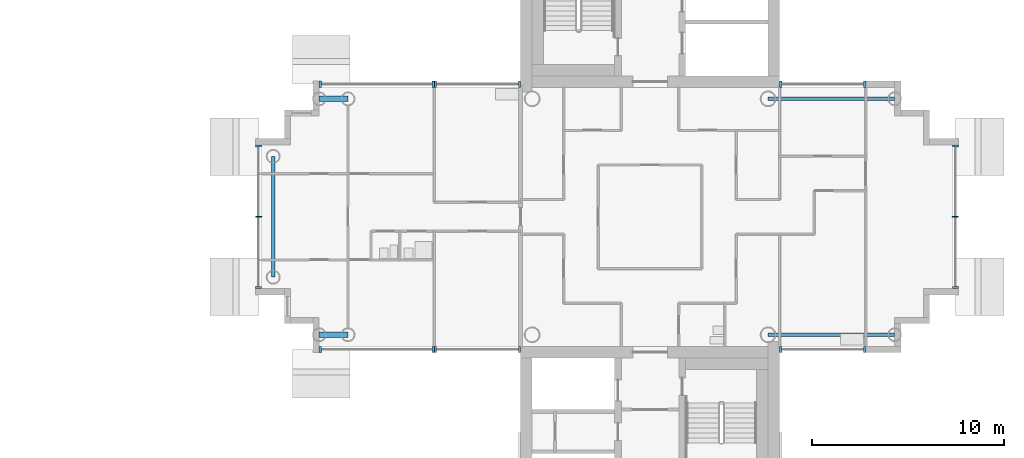
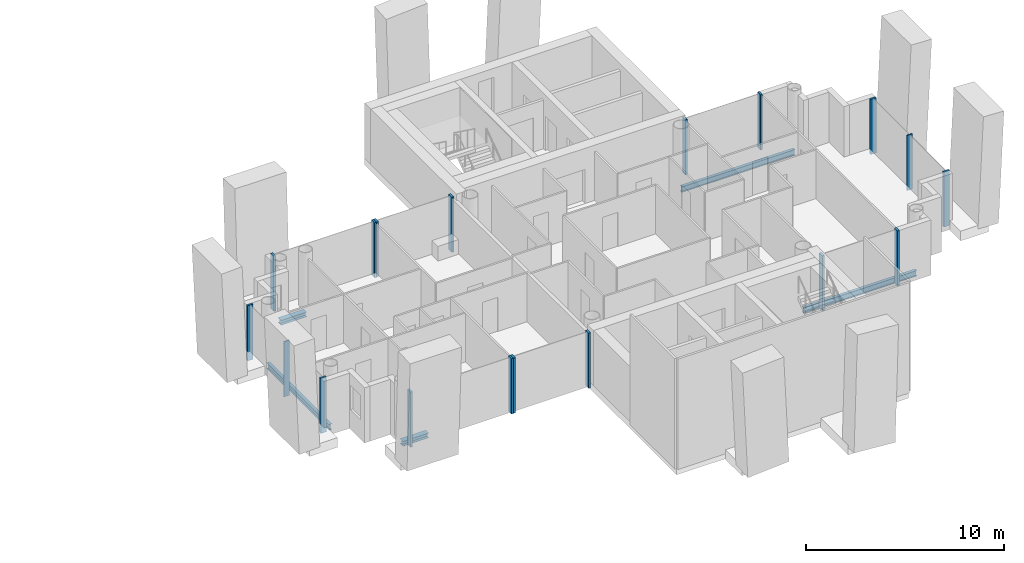
# One storey, part 4 of 18: 18 members, 5 beams, 8 elements without a shape of their own.
"""IFC4 building model written with IfcOpenShell, lengths in metres."""

import ifcopenshell
import ifcopenshell.guid

model = None  # the IFC model being written
_history = None  # IfcOwnerHistory: only IFC2X3 demands one
_inside = {}  # id of a spatial element -> (the spatial element, [elements in it])
_under = {}  # id of a project, library or spatial element -> (it, [spatial elements below it])
_declared = {}  # id of a project -> (the project, [libraries it declares])
_typed = {}  # id of a type object -> (the type object, [elements of that type])
_made_of = {}  # id of a material, layer set ... -> (it, [elements and type objects made of it])


def new_model(schema):
    """Start an empty IFC model of exactly this schema.

    Asked for "IFC4X3", IfcOpenShell would pick the latest addendum, in which some entities
    have other attributes; the version numbers below select the first issue.
    IFC2X3 requires an IfcOwnerHistory on every rooted entity: one is made here for all.
    """
    global model, _history
    if schema == "IFC4X3":
        model = ifcopenshell.file(schema_version=(4, 3, 0, 0))
    else:
        model = ifcopenshell.file(schema=schema)
    _inside.clear()
    _under.clear()
    _declared.clear()
    _typed.clear()
    _made_of.clear()
    _history = None
    if model.schema == "IFC2X3":
        org = make("IfcOrganization", Name="unknown")
        user = make(
            "IfcPersonAndOrganization",
            ThePerson=make("IfcPerson", FamilyName="unknown"),
            TheOrganization=org,
        )
        app = make(
            "IfcApplication",
            ApplicationDeveloper=org,
            Version="unknown",
            ApplicationFullName="unknown",
            ApplicationIdentifier="unknown",
        )
        _history = make(
            "IfcOwnerHistory",
            OwningUser=user,
            OwningApplication=app,
            ChangeAction="ADDED",
            CreationDate=0,
        )
    return model


def make(cls, **values):
    """One entity of the class cls with the attributes given. An attribute that is None is left unset."""
    return model.create_entity(
        cls, **{name: value for name, value in values.items() if value is not None}
    )


def rooted(cls, **values):
    """An entity with a GlobalId (a new one), such as an element, a storey or a relation."""
    return make(cls, GlobalId=ifcopenshell.guid.new(), OwnerHistory=_history, **values)


def si_unit(unit_type, name, prefix=None):
    """IfcSIUnit, for example si_unit("LENGTHUNIT", "METRE", prefix="MILLI")."""
    return make("IfcSIUnit", UnitType=unit_type, Prefix=prefix, Name=name)


def assignment(units):
    """IfcUnitAssignment: the units of a project."""
    return None if units is None else make("IfcUnitAssignment", Units=units)


def point(xyz):
    """IfcCartesianPoint."""
    return None if xyz is None else make("IfcCartesianPoint", Coordinates=xyz)


def direction(xyz):
    """IfcDirection."""
    return None if xyz is None else make("IfcDirection", DirectionRatios=xyz)


def frame(location, z_axis=None, x_axis=None):
    """IfcAxis2Placement3D, a coordinate frame: its origin and axes. An axis left out is left unset."""
    return make(
        "IfcAxis2Placement3D",
        Location=point(location),
        Axis=direction(z_axis),
        RefDirection=direction(x_axis),
    )


def frame_2d(location, x_axis=None):
    """IfcAxis2Placement2D, a coordinate frame in the plane: its origin and x axis."""
    return make(
        "IfcAxis2Placement2D", Location=point(location), RefDirection=direction(x_axis)
    )


def origin():
    """The frame at (0, 0, 0) with its axes left unset."""
    return frame((0.0, 0.0, 0.0))


def origin_2d():
    """The frame at (0, 0) in the plane with its x axis left unset."""
    return frame_2d((0.0, 0.0))


def place(relative_to, where):
    """IfcLocalPlacement: puts the frame where relative to a parent placement (None: the world)."""
    return make(
        "IfcLocalPlacement", PlacementRelTo=relative_to, RelativePlacement=where
    )


def context(
    kind, dimensions, precision=None, world=None, true_north=None, identifier=None
):
    """IfcGeometricRepresentationContext, for example the 3D "Model" context."""
    return make(
        "IfcGeometricRepresentationContext",
        ContextIdentifier=identifier,
        ContextType=kind,
        CoordinateSpaceDimension=dimensions,
        Precision=precision,
        WorldCoordinateSystem=world,
        TrueNorth=true_north,
    )


def subcontext(parent, identifier, kind, view, scale=None):
    """IfcGeometricRepresentationSubContext, for example "Body" below "Model"."""
    return make(
        "IfcGeometricRepresentationSubContext",
        ContextIdentifier=identifier,
        ContextType=kind,
        ParentContext=parent,
        TargetScale=scale,
        TargetView=view,
    )


def project(units=None, contexts=None):
    """IfcProject with its units and contexts."""
    return rooted(
        "IfcProject",
        Name="project",
        RepresentationContexts=contexts,
        UnitsInContext=assignment(units),
    )


def spatial(cls, under=None, at=None, **own):
    """A site, building, storey or space (cls), placed at a placement, below another one or the project."""
    s = rooted(cls, ObjectPlacement=at, **own)
    if under is not None:
        _under.setdefault(under.id(), (under, []))[1].append(s)
    return s


def profile(cls, at=None, kind="AREA", **sizes):
    """A parametric profile (cls). Its sizes go by their IFC names, for example OverallWidth=200.0."""
    return make(cls, ProfileType=kind, Position=at, **sizes)


def rectangle(**sizes):
    """IfcRectangleProfileDef."""
    return profile("IfcRectangleProfileDef", **sizes)


def i_section(**sizes):
    """IfcIShapeProfileDef."""
    return profile("IfcIShapeProfileDef", **sizes)


def extrude(swept, where, along, depth):
    """IfcExtrudedAreaSolid: the profile swept, set in the frame where, extruded along a direction by depth."""
    return make(
        "IfcExtrudedAreaSolid",
        SweptArea=swept,
        Position=where,
        ExtrudedDirection=direction(along),
        Depth=depth,
    )


def shape(context_of_items, identifier, shape_type, items):
    """IfcShapeRepresentation: the items that make up one representation, for example the "Body"."""
    return make(
        "IfcShapeRepresentation",
        ContextOfItems=context_of_items,
        RepresentationIdentifier=identifier,
        RepresentationType=shape_type,
        Items=items,
    )


def material(Name=None, Category=None):
    """IfcMaterial."""
    return make("IfcMaterial", Name=Name, Category=Category)


def layer(
    of_material, thickness, ventilated=None, Name=None, Category=None, Priority=None
):
    """IfcMaterialLayer: one layer of a wall or slab, of a material (None: an air gap)."""
    return make(
        "IfcMaterialLayer",
        Material=of_material,
        LayerThickness=thickness,
        IsVentilated=ventilated,
        Name=Name,
        Category=Category,
        Priority=Priority,
    )


def layer_set(layers, Name=None):
    """IfcMaterialLayerSet."""
    return make("IfcMaterialLayerSet", MaterialLayers=layers, LayerSetName=Name)


def material_profile(
    of_material, cross_section, Name=None, Category=None, Priority=None
):
    """IfcMaterialProfile: a cross section and its material."""
    return make(
        "IfcMaterialProfile",
        Name=Name,
        Material=of_material,
        Profile=cross_section,
        Priority=Priority,
        Category=Category,
    )


def profile_set(profiles, Name=None, composite=None):
    """IfcMaterialProfileSet."""
    return make(
        "IfcMaterialProfileSet",
        Name=Name,
        MaterialProfiles=profiles,
        CompositeProfile=composite,
    )


def made_of(thing, what):
    """Note that an element or type object is made of a material, layer set ...; save() writes the relation."""
    if what is not None:
        _made_of.setdefault(what.id(), (what, []))[1].append(thing)
    return thing


def type_object(cls, material=None, **own):
    """A type object (cls), such as IfcWallType, which elements share."""
    return made_of(rooted(cls, **own), material)


def element(
    cls,
    number,
    at=None,
    inside=None,
    cuts=None,
    type_object=None,
    material=None,
    context=None,
    identifier="Body",
    shape_type=None,
    held_by="IfcProductDefinitionShape",
    body=None,
    shapes=None,
    **own,
):
    """One element of the class cls, such as IfcWall. Its Tag is "e" and its number.

    at: its placement. inside: the storey or other place that contains it. cuts: it is an
    opening in that element (IfcRelVoidsElement). A single representation is given by context,
    identifier, shape_type and body (its items); several are given by shapes. held_by: the class
    of the entity that holds the representations. save() writes the other relations.
    """
    e = rooted(cls, Tag="e%d" % number, ObjectPlacement=at, **own)
    if body is not None:
        shapes = [shape(context, identifier, shape_type, body)]
    if shapes is not None:
        e.Representation = make(held_by, Representations=shapes)
    if inside is not None:
        _inside.setdefault(inside.id(), (inside, []))[1].append(e)
    if cuts is not None:
        rooted(
            "IfcRelVoidsElement", RelatingBuildingElement=cuts, RelatedOpeningElement=e
        )
    if type_object is not None:
        _typed.setdefault(type_object.id(), (type_object, []))[1].append(e)
    return made_of(e, material)


def aggregate(whole, parts):
    """IfcRelAggregates: a whole, such as a stair, and the parts it consists of."""
    return rooted("IfcRelAggregates", RelatingObject=whole, RelatedObjects=parts)


def save(model, path):
    """Write the relations noted so far, then the file.

    IfcRelAggregates (storeys below a building ...), IfcRelContainedInSpatialStructure (elements
    in a storey), IfcRelDefinesByType, IfcRelAssociatesMaterial and IfcRelDeclares: one each for
    every whole, place, type object, material and project.
    """
    for whole, parts in _under.values():
        aggregate(whole, parts)
    for where, things in _inside.values():
        rooted(
            "IfcRelContainedInSpatialStructure",
            RelatedElements=things,
            RelatingStructure=where,
        )
    for kind, things in _typed.values():
        rooted("IfcRelDefinesByType", RelatedObjects=things, RelatingType=kind)
    for what, things in _made_of.values():
        rooted("IfcRelAssociatesMaterial", RelatedObjects=things, RelatingMaterial=what)
    for by, libraries in _declared.values():
        rooted("IfcRelDeclares", RelatingContext=by, RelatedDefinitions=libraries)
    model.write(path)


model = new_model("IFC4")

# Units and contexts
model_context = context("Model", 3, precision=1e-05, world=origin(), true_north=direction((0.0, 1.0)))
body_context = subcontext(model_context, "Body", "Model", "MODEL_VIEW")
ifc_project = project(units=[si_unit("LENGTHUNIT", "METRE"), si_unit("AREAUNIT", "SQUARE_METRE"), si_unit("VOLUMEUNIT", "CUBIC_METRE"), si_unit("PLANEANGLEUNIT", "RADIAN"), si_unit("MASSUNIT", "GRAM", prefix="KILO")], contexts=[model_context])

# Site, building, storey
site_placement = place(None, origin())
site = spatial("IfcSite", under=ifc_project, at=site_placement, CompositionType="ELEMENT")
building_placement = place(site_placement, origin())
building = spatial("IfcBuilding", under=site, at=building_placement, Name="Ipe Terrace Towers", CompositionType="ELEMENT")
storey_placement = place(building_placement, frame((0.0, 0.0, 223.199951171875)))
storey = spatial("IfcBuildingStorey", under=building, at=storey_placement, Name="L62", CompositionType="ELEMENT", Elevation=223.199951171875)

# Beams
ifc_material_1 = material(Name="Steel S355", Category="steel")
ifc_material_profile_1 = material_profile(ifc_material_1, i_section(OverallWidth=0.300048828125, OverallDepth=0.300048828125, WebThickness=0.010009765625, FlangeThickness=0.014892578125, at=origin_2d()), Name="H-300x300x10x15")
ifc_profile_set_1 = profile_set([ifc_material_profile_1], Name="Steel S355")
beam_type_1 = type_object("IfcBeamType", Name="H03 EDGE BEAM H-300x300x10x15", PredefinedType="BEAM", material=ifc_profile_set_1)
for number, where, z_axis, x_axis, name in (
    (1, (20.25, 6.14990234375, -0.550048828125), (-1.0, 0.0, 0.0), (0.0, -1.0, 0.0), "Edge beam T2-EB-B03-B05"),
    (2, (20.25, -6.14990234375, -0.550048828125), (-1.0, 0.0, 0.0), (0.0, -1.0, 0.0), "Edge beam T2-EB-B04-B06"),
):
    element("IfcBeam", number, at=place(storey_placement, frame(where, z_axis=z_axis, x_axis=x_axis)), inside=storey, type_object=beam_type_1, Name=name, PredefinedType="BEAM", context=body_context, shape_type="SweptSolid", body=[
        extrude(i_section(OverallWidth=0.300048828125, OverallDepth=0.300048828125, WebThickness=0.010009765625, FlangeThickness=0.014892578125, at=origin_2d()), origin(), (0.0, 0.0, 1.0), 1.5),
    ])
ifc_material_2 = material(Name="Steel S355", Category="steel")
ifc_material_profile_2 = material_profile(ifc_material_2, i_section(OverallWidth=0.175048828125, OverallDepth=0.35009765625, WebThickness=0.007080078125, FlangeThickness=0.010986328125, at=origin_2d()), Name="H-350x175x7x11")
ifc_profile_set_2 = profile_set([ifc_material_profile_2], Name="Steel S355")
beam_type_2 = type_object("IfcBeamType", Name="H04 EDGE BEAM H-350x175x7x11", PredefinedType="BEAM", material=ifc_profile_set_2)
beam_placement = place(storey_placement, frame((16.35009765625, 3.14990234375, -0.574951171875), z_axis=(0.0, -1.0, 0.0), x_axis=(1.0, 0.0, 0.0)))
element("IfcBeam", 3, at=beam_placement, inside=storey, type_object=beam_type_2, Name="Edge beam T2-EB-B07-B08", PredefinedType="BEAM", context=body_context, shape_type="SweptSolid", body=[
    extrude(i_section(OverallWidth=0.175048828125, OverallDepth=0.35009765625, WebThickness=0.007080078125, FlangeThickness=0.010986328125, at=origin_2d()), origin(), (0.0, 0.0, 1.0), 6.2998046875),
])
for number, where, z_axis, x_axis, name in (
    (4, (48.75, -6.14990234375, -0.574951171875), (-1.0, 0.0, 0.0), (0.0, -1.0, 0.0), "Edge beam T2-EB-D01-E01"),
    (5, (48.75, 6.14990234375, -0.574951171875), (-1.0, 0.0, 0.0), (0.0, -1.0, 0.0), "Edge beam T2-EB-D02-E02"),
):
    element("IfcBeam", number, at=place(storey_placement, frame(where, z_axis=z_axis, x_axis=x_axis)), inside=storey, type_object=beam_type_2, Name=name, PredefinedType="BEAM", context=body_context, shape_type="SweptSolid", body=[
        extrude(i_section(OverallWidth=0.175048828125, OverallDepth=0.35009765625, WebThickness=0.007080078125, FlangeThickness=0.010986328125, at=origin_2d()), origin(), (0.0, 0.0, 1.0), 6.60009765625),
    ])

# Curtain wall, members
ifc_material_3 = material(Name="Aluminium alloy 6063-T6", Category="aluminium")
ifc_layer = layer(ifc_material_3, 0.320068359375)
ifc_layer_set = layer_set([ifc_layer], Name="TOWER UNITISED CURTAIN WALL")
curtain_wall_type = type_object("IfcCurtainWallType", Name="TOWER UNITISED CURTAIN WALL", PredefinedType="NOTDEFINED", material=ifc_layer_set)
curtain_wall_1_placement = place(storey_placement, origin())
curtain_wall_1 = element("IfcCurtainWall", 6, at=curtain_wall_1_placement, inside=storey, type_object=curtain_wall_type, Name="T2-CW-L62-02a curtain wall", PredefinedType="NOTDEFINED")
ifc_material_4 = material(Name="Aluminium alloy 6063-T6", Category="aluminium")
ifc_material_profile_3 = material_profile(ifc_material_4, rectangle(XDim=0.320068359375, YDim=0.1201171875, at=origin_2d()), Name="TOWER UNITISED CORNER MULLION 320 x 120")
ifc_profile_set_3 = profile_set([ifc_material_profile_3], Name="Aluminium alloy 6063-T6")
member_type_1 = type_object("IfcMemberType", Name="TOWER UNITISED CORNER MULLION 320 x 120", PredefinedType="MULLION", material=ifc_profile_set_3)
member_1_placement = place(storey_placement, frame((42.81005859375, -6.909912109375, -0.300048828125), z_axis=(0.0, 0.0, 1.0), x_axis=(0.0, -1.0, 0.0)))
member_1 = element("IfcMember", 7, at=member_1_placement, type_object=member_type_1, Name="T2-CW-L62-02a mullion 1", PredefinedType="MULLION", context=body_context, shape_type="SweptSolid", body=[
    extrude(rectangle(XDim=0.320068359375, YDim=0.1201171875, at=origin_2d()), origin(), (0.0, 0.0, 1.0), 3.400146484375),
])
member_2_placement = place(storey_placement, frame((47.18994140625, -6.909912109375, -0.300048828125), z_axis=(0.0, 0.0, 1.0), x_axis=(0.0, -1.0, 0.0)))
member_2 = element("IfcMember", 8, at=member_2_placement, type_object=member_type_1, Name="T2-CW-L62-02a mullion 2", PredefinedType="MULLION", context=body_context, shape_type="SweptSolid", body=[
    extrude(rectangle(XDim=0.320068359375, YDim=0.1201171875, at=origin_2d()), origin(), (0.0, 0.0, 1.0), 3.400146484375),
])
aggregate(curtain_wall_1, [member_1, member_2])

curtain_wall_2_placement = place(storey_placement, origin())
curtain_wall_2 = element("IfcCurtainWall", 9, at=curtain_wall_2_placement, inside=storey, type_object=curtain_wall_type, Name="T2-CW-L62-08a curtain wall", PredefinedType="NOTDEFINED")
member_3_placement = place(storey_placement, frame((51.909912109375, -3.68994140625, -0.300048828125), z_axis=(0.0, 0.0, 1.0), x_axis=(1.0, 0.0, 0.0)))
member_3 = element("IfcMember", 10, at=member_3_placement, type_object=member_type_1, Name="T2-CW-L62-08a mullion 1", PredefinedType="MULLION", context=body_context, shape_type="SweptSolid", body=[
    extrude(rectangle(XDim=0.320068359375, YDim=0.1201171875, at=origin_2d()), origin(), (0.0, 0.0, 1.0), 3.400146484375),
])
member_4_placement = place(storey_placement, frame((51.909912109375, 3.68994140625, -0.300048828125), z_axis=(0.0, 0.0, 1.0), x_axis=(1.0, 0.0, 0.0)))
member_4 = element("IfcMember", 11, at=member_4_placement, type_object=member_type_1, Name="T2-CW-L62-08a mullion 3", PredefinedType="MULLION", context=body_context, shape_type="SweptSolid", body=[
    extrude(rectangle(XDim=0.320068359375, YDim=0.1201171875, at=origin_2d()), origin(), (0.0, 0.0, 1.0), 3.400146484375),
])

curtain_wall_3_placement = place(storey_placement, origin())
curtain_wall_3 = element("IfcCurtainWall", 12, at=curtain_wall_3_placement, inside=storey, type_object=curtain_wall_type, Name="T2-CW-L62-14a curtain wall", PredefinedType="NOTDEFINED")
member_5_placement = place(storey_placement, frame((47.18994140625, 6.909912109375, -0.300048828125), z_axis=(0.0, 0.0, 1.0), x_axis=(0.0, 1.0, 0.0)))
member_5 = element("IfcMember", 13, at=member_5_placement, type_object=member_type_1, Name="T2-CW-L62-14a mullion 1", PredefinedType="MULLION", context=body_context, shape_type="SweptSolid", body=[
    extrude(rectangle(XDim=0.320068359375, YDim=0.1201171875, at=origin_2d()), origin(), (0.0, 0.0, 1.0), 3.400146484375),
])
member_6_placement = place(storey_placement, frame((42.81005859375, 6.909912109375, -0.300048828125), z_axis=(0.0, 0.0, 1.0), x_axis=(0.0, 1.0, 0.0)))
member_6 = element("IfcMember", 14, at=member_6_placement, type_object=member_type_1, Name="T2-CW-L62-14a mullion 2", PredefinedType="MULLION", context=body_context, shape_type="SweptSolid", body=[
    extrude(rectangle(XDim=0.320068359375, YDim=0.1201171875, at=origin_2d()), origin(), (0.0, 0.0, 1.0), 3.400146484375),
])
aggregate(curtain_wall_3, [member_5, member_6])

curtain_wall_4_placement = place(storey_placement, origin())
curtain_wall_4 = element("IfcCurtainWall", 15, at=curtain_wall_4_placement, inside=storey, type_object=curtain_wall_type, Name="T2-CW-L62-20a curtain wall", PredefinedType="NOTDEFINED")
member_7_placement = place(storey_placement, frame((29.18994140625, 6.909912109375, -0.300048828125), z_axis=(0.0, 0.0, 1.0), x_axis=(0.0, 1.0, 0.0)))
member_7 = element("IfcMember", 16, at=member_7_placement, type_object=member_type_1, Name="T2-CW-L62-20a mullion 1", PredefinedType="MULLION", context=body_context, shape_type="SweptSolid", body=[
    extrude(rectangle(XDim=0.320068359375, YDim=0.1201171875, at=origin_2d()), origin(), (0.0, 0.0, 1.0), 3.400146484375),
])
member_8_placement = place(storey_placement, frame((24.81005859375, 6.909912109375, -0.300048828125), z_axis=(0.0, 0.0, 1.0), x_axis=(0.0, 1.0, 0.0)))
member_8 = element("IfcMember", 17, at=member_8_placement, type_object=member_type_1, Name="T2-CW-L62-20a mullion 2", PredefinedType="MULLION", context=body_context, shape_type="SweptSolid", body=[
    extrude(rectangle(XDim=0.320068359375, YDim=0.1201171875, at=origin_2d()), origin(), (0.0, 0.0, 1.0), 3.400146484375),
])
aggregate(curtain_wall_4, [member_7, member_8])

curtain_wall_5_placement = place(storey_placement, origin())
curtain_wall_5 = element("IfcCurtainWall", 18, at=curtain_wall_5_placement, inside=storey, type_object=curtain_wall_type, Name="T2-CW-L62-21a curtain wall", PredefinedType="NOTDEFINED")
member_9_placement = place(storey_placement, frame((24.68994140625, 6.909912109375, -0.300048828125), z_axis=(0.0, 0.0, 1.0), x_axis=(0.0, 1.0, 0.0)))
member_9 = element("IfcMember", 19, at=member_9_placement, type_object=member_type_1, Name="T2-CW-L62-21a mullion 1", PredefinedType="MULLION", context=body_context, shape_type="SweptSolid", body=[
    extrude(rectangle(XDim=0.320068359375, YDim=0.1201171875, at=origin_2d()), origin(), (0.0, 0.0, 1.0), 3.400146484375),
])
member_10_placement = place(storey_placement, frame((18.81005859375, 6.909912109375, -0.300048828125), z_axis=(0.0, 0.0, 1.0), x_axis=(0.0, 1.0, 0.0)))
member_10 = element("IfcMember", 20, at=member_10_placement, type_object=member_type_1, Name="T2-CW-L62-21a mullion 2", PredefinedType="MULLION", context=body_context, shape_type="SweptSolid", body=[
    extrude(rectangle(XDim=0.320068359375, YDim=0.1201171875, at=origin_2d()), origin(), (0.0, 0.0, 1.0), 3.400146484375),
])
aggregate(curtain_wall_5, [member_9, member_10])

curtain_wall_6_placement = place(storey_placement, origin())
curtain_wall_6 = element("IfcCurtainWall", 21, at=curtain_wall_6_placement, inside=storey, type_object=curtain_wall_type, Name="T2-CW-L62-26a curtain wall", PredefinedType="NOTDEFINED")
member_11_placement = place(storey_placement, frame((15.590087890625, 3.68994140625, -0.300048828125), z_axis=(0.0, 0.0, 1.0), x_axis=(-1.0, 0.0, 0.0)))
member_11 = element("IfcMember", 22, at=member_11_placement, type_object=member_type_1, Name="T2-CW-L62-26a mullion 1", PredefinedType="MULLION", context=body_context, shape_type="SweptSolid", body=[
    extrude(rectangle(XDim=0.320068359375, YDim=0.1201171875, at=origin_2d()), origin(), (0.0, 0.0, 1.0), 3.400146484375),
])
member_12_placement = place(storey_placement, frame((15.590087890625, -3.68994140625, -0.300048828125), z_axis=(0.0, 0.0, 1.0), x_axis=(-1.0, 0.0, 0.0)))
member_12 = element("IfcMember", 23, at=member_12_placement, type_object=member_type_1, Name="T2-CW-L62-26a mullion 3", PredefinedType="MULLION", context=body_context, shape_type="SweptSolid", body=[
    extrude(rectangle(XDim=0.320068359375, YDim=0.1201171875, at=origin_2d()), origin(), (0.0, 0.0, 1.0), 3.400146484375),
])

curtain_wall_7_placement = place(storey_placement, origin())
curtain_wall_7 = element("IfcCurtainWall", 24, at=curtain_wall_7_placement, inside=storey, type_object=curtain_wall_type, Name="T2-CW-L62-31a curtain wall", PredefinedType="NOTDEFINED")
member_13_placement = place(storey_placement, frame((18.81005859375, -6.909912109375, -0.300048828125), z_axis=(0.0, 0.0, 1.0), x_axis=(0.0, -1.0, 0.0)))
member_13 = element("IfcMember", 25, at=member_13_placement, type_object=member_type_1, Name="T2-CW-L62-31a mullion 1", PredefinedType="MULLION", context=body_context, shape_type="SweptSolid", body=[
    extrude(rectangle(XDim=0.320068359375, YDim=0.1201171875, at=origin_2d()), origin(), (0.0, 0.0, 1.0), 3.400146484375),
])
member_14_placement = place(storey_placement, frame((24.68994140625, -6.909912109375, -0.300048828125), z_axis=(0.0, 0.0, 1.0), x_axis=(0.0, -1.0, 0.0)))
member_14 = element("IfcMember", 26, at=member_14_placement, type_object=member_type_1, Name="T2-CW-L62-31a mullion 2", PredefinedType="MULLION", context=body_context, shape_type="SweptSolid", body=[
    extrude(rectangle(XDim=0.320068359375, YDim=0.1201171875, at=origin_2d()), origin(), (0.0, 0.0, 1.0), 3.400146484375),
])
aggregate(curtain_wall_7, [member_13, member_14])

curtain_wall_8_placement = place(storey_placement, origin())
curtain_wall_8 = element("IfcCurtainWall", 27, at=curtain_wall_8_placement, inside=storey, type_object=curtain_wall_type, Name="T2-CW-L62-32a curtain wall", PredefinedType="NOTDEFINED")
member_15_placement = place(storey_placement, frame((24.81005859375, -6.909912109375, -0.300048828125), z_axis=(0.0, 0.0, 1.0), x_axis=(0.0, -1.0, 0.0)))
member_15 = element("IfcMember", 28, at=member_15_placement, type_object=member_type_1, Name="T2-CW-L62-32a mullion 1", PredefinedType="MULLION", context=body_context, shape_type="SweptSolid", body=[
    extrude(rectangle(XDim=0.320068359375, YDim=0.1201171875, at=origin_2d()), origin(), (0.0, 0.0, 1.0), 3.400146484375),
])
member_16_placement = place(storey_placement, frame((29.18994140625, -6.909912109375, -0.300048828125), z_axis=(0.0, 0.0, 1.0), x_axis=(0.0, -1.0, 0.0)))
member_16 = element("IfcMember", 29, at=member_16_placement, type_object=member_type_1, Name="T2-CW-L62-32a mullion 2", PredefinedType="MULLION", context=body_context, shape_type="SweptSolid", body=[
    extrude(rectangle(XDim=0.320068359375, YDim=0.1201171875, at=origin_2d()), origin(), (0.0, 0.0, 1.0), 3.400146484375),
])
aggregate(curtain_wall_8, [member_15, member_16])

# Member
ifc_material_5 = material(Name="Aluminium alloy 6063-T6", Category="aluminium")
ifc_material_profile_4 = material_profile(ifc_material_5, rectangle(XDim=0.320068359375, YDim=0.06494140625, at=origin_2d()), Name="TOWER UNITISED MULLION 320 x 65")
ifc_profile_set_4 = profile_set([ifc_material_profile_4], Name="Aluminium alloy 6063-T6")
member_type_2 = type_object("IfcMemberType", Name="TOWER UNITISED MULLION 320 x 65", PredefinedType="MULLION", material=ifc_profile_set_4)
member_17_placement = place(storey_placement, frame((51.909912109375, 0.0, -0.300048828125), z_axis=(0.0, 0.0, 1.0), x_axis=(1.0, 0.0, 0.0)))
member_17 = element("IfcMember", 30, at=member_17_placement, type_object=member_type_2, Name="T2-CW-L62-08a mullion 2", PredefinedType="MULLION", context=body_context, shape_type="SweptSolid", body=[
    extrude(rectangle(XDim=0.320068359375, YDim=0.06494140625, at=origin_2d()), origin(), (0.0, 0.0, 1.0), 3.400146484375),
])

aggregate(curtain_wall_2, [member_3, member_17, member_4])

member_18_placement = place(storey_placement, frame((15.590087890625, 0.0, -0.300048828125), z_axis=(0.0, 0.0, 1.0), x_axis=(-1.0, 0.0, 0.0)))
member_18 = element("IfcMember", 31, at=member_18_placement, type_object=member_type_2, Name="T2-CW-L62-26a mullion 2", PredefinedType="MULLION", context=body_context, shape_type="SweptSolid", body=[
    extrude(rectangle(XDim=0.320068359375, YDim=0.06494140625, at=origin_2d()), origin(), (0.0, 0.0, 1.0), 3.400146484375),
])

aggregate(curtain_wall_6, [member_11, member_18, member_12])

save(model, "model.ifc")
